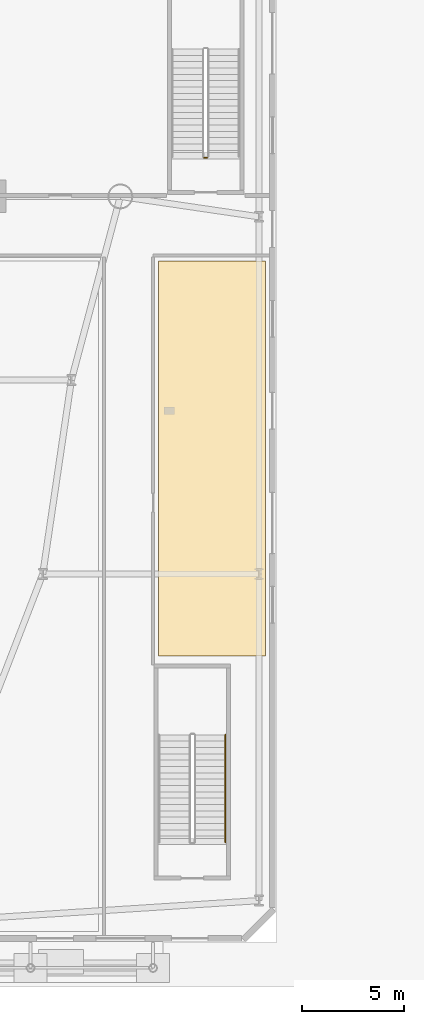
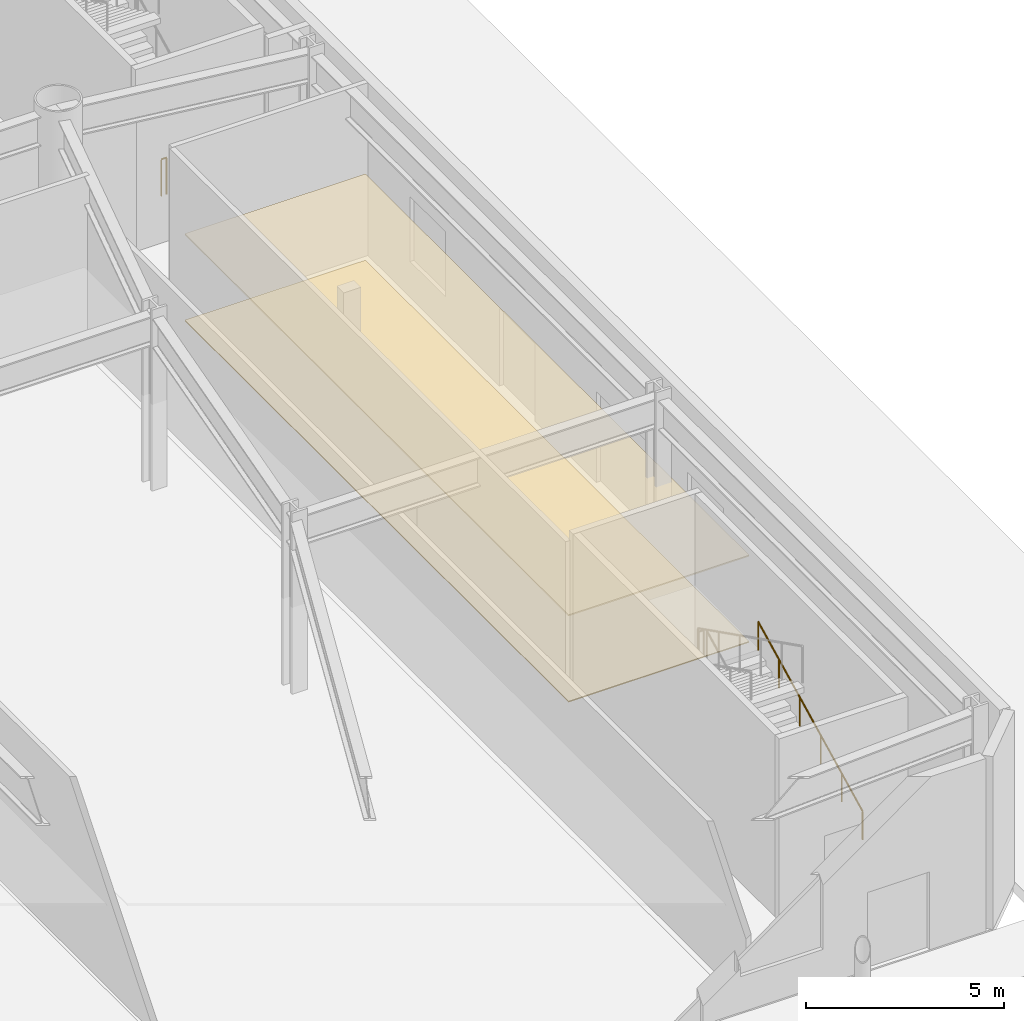
# One storey, part 18 of 20: 2 coverings, 2 railings.
"""IFC4 building model written with IfcOpenShell, lengths in metres."""

import ifcopenshell
import ifcopenshell.guid

model = None  # the IFC model being written
_history = None  # IfcOwnerHistory: only IFC2X3 demands one
_inside = {}  # id of a spatial element -> (the spatial element, [elements in it])
_under = {}  # id of a project, library or spatial element -> (it, [spatial elements below it])
_declared = {}  # id of a project -> (the project, [libraries it declares])
_typed = {}  # id of a type object -> (the type object, [elements of that type])
_made_of = {}  # id of a material, layer set ... -> (it, [elements and type objects made of it])


def new_model(schema):
    """Start an empty IFC model of exactly this schema.

    Asked for "IFC4X3", IfcOpenShell would pick the latest addendum, in which some entities
    have other attributes; the version numbers below select the first issue.
    IFC2X3 requires an IfcOwnerHistory on every rooted entity: one is made here for all.
    """
    global model, _history
    if schema == "IFC4X3":
        model = ifcopenshell.file(schema_version=(4, 3, 0, 0))
    else:
        model = ifcopenshell.file(schema=schema)
    _inside.clear()
    _under.clear()
    _declared.clear()
    _typed.clear()
    _made_of.clear()
    _history = None
    if model.schema == "IFC2X3":
        org = make("IfcOrganization", Name="unknown")
        user = make(
            "IfcPersonAndOrganization",
            ThePerson=make("IfcPerson", FamilyName="unknown"),
            TheOrganization=org,
        )
        app = make(
            "IfcApplication",
            ApplicationDeveloper=org,
            Version="unknown",
            ApplicationFullName="unknown",
            ApplicationIdentifier="unknown",
        )
        _history = make(
            "IfcOwnerHistory",
            OwningUser=user,
            OwningApplication=app,
            ChangeAction="ADDED",
            CreationDate=0,
        )
    return model


def make(cls, **values):
    """One entity of the class cls with the attributes given. An attribute that is None is left unset."""
    return model.create_entity(
        cls, **{name: value for name, value in values.items() if value is not None}
    )


def rooted(cls, **values):
    """An entity with a GlobalId (a new one), such as an element, a storey or a relation."""
    return make(cls, GlobalId=ifcopenshell.guid.new(), OwnerHistory=_history, **values)


def si_unit(unit_type, name, prefix=None):
    """IfcSIUnit, for example si_unit("LENGTHUNIT", "METRE", prefix="MILLI")."""
    return make("IfcSIUnit", UnitType=unit_type, Prefix=prefix, Name=name)


def assignment(units):
    """IfcUnitAssignment: the units of a project."""
    return None if units is None else make("IfcUnitAssignment", Units=units)


def point(xyz):
    """IfcCartesianPoint."""
    return None if xyz is None else make("IfcCartesianPoint", Coordinates=xyz)


def direction(xyz):
    """IfcDirection."""
    return None if xyz is None else make("IfcDirection", DirectionRatios=xyz)


def frame(location, z_axis=None, x_axis=None):
    """IfcAxis2Placement3D, a coordinate frame: its origin and axes. An axis left out is left unset."""
    return make(
        "IfcAxis2Placement3D",
        Location=point(location),
        Axis=direction(z_axis),
        RefDirection=direction(x_axis),
    )


def frame_2d(location, x_axis=None):
    """IfcAxis2Placement2D, a coordinate frame in the plane: its origin and x axis."""
    return make(
        "IfcAxis2Placement2D", Location=point(location), RefDirection=direction(x_axis)
    )


def origin():
    """The frame at (0, 0, 0) with its axes left unset."""
    return frame((0.0, 0.0, 0.0))


def origin_2d():
    """The frame at (0, 0) in the plane with its x axis left unset."""
    return frame_2d((0.0, 0.0))


def place(relative_to, where):
    """IfcLocalPlacement: puts the frame where relative to a parent placement (None: the world)."""
    return make(
        "IfcLocalPlacement", PlacementRelTo=relative_to, RelativePlacement=where
    )


def context(
    kind, dimensions, precision=None, world=None, true_north=None, identifier=None
):
    """IfcGeometricRepresentationContext, for example the 3D "Model" context."""
    return make(
        "IfcGeometricRepresentationContext",
        ContextIdentifier=identifier,
        ContextType=kind,
        CoordinateSpaceDimension=dimensions,
        Precision=precision,
        WorldCoordinateSystem=world,
        TrueNorth=true_north,
    )


def subcontext(parent, identifier, kind, view, scale=None):
    """IfcGeometricRepresentationSubContext, for example "Body" below "Model"."""
    return make(
        "IfcGeometricRepresentationSubContext",
        ContextIdentifier=identifier,
        ContextType=kind,
        ParentContext=parent,
        TargetScale=scale,
        TargetView=view,
    )


def project(units=None, contexts=None):
    """IfcProject with its units and contexts."""
    return rooted(
        "IfcProject",
        Name="project",
        RepresentationContexts=contexts,
        UnitsInContext=assignment(units),
    )


def spatial(cls, under=None, at=None, **own):
    """A site, building, storey or space (cls), placed at a placement, below another one or the project."""
    s = rooted(cls, ObjectPlacement=at, **own)
    if under is not None:
        _under.setdefault(under.id(), (under, []))[1].append(s)
    return s


def polyline(points):
    """IfcPolyline through the points."""
    return make("IfcPolyline", Points=[point(p) for p in points])


def profile(cls, at=None, kind="AREA", **sizes):
    """A parametric profile (cls). Its sizes go by their IFC names, for example OverallWidth=200.0."""
    return make(cls, ProfileType=kind, Position=at, **sizes)


def circle(**sizes):
    """IfcCircleProfileDef."""
    return profile("IfcCircleProfileDef", **sizes)


def outline(outer, holes=None, kind="AREA"):
    """IfcArbitraryClosedProfileDef: a profile drawn as a closed curve; with holes, ...WithVoids."""
    if holes is None:
        return make("IfcArbitraryClosedProfileDef", ProfileType=kind, OuterCurve=outer)
    return make(
        "IfcArbitraryProfileDefWithVoids",
        ProfileType=kind,
        OuterCurve=outer,
        InnerCurves=holes,
    )


def extrude(swept, where, along, depth):
    """IfcExtrudedAreaSolid: the profile swept, set in the frame where, extruded along a direction by depth."""
    return make(
        "IfcExtrudedAreaSolid",
        SweptArea=swept,
        Position=where,
        ExtrudedDirection=direction(along),
        Depth=depth,
    )


def shape(context_of_items, identifier, shape_type, items):
    """IfcShapeRepresentation: the items that make up one representation, for example the "Body"."""
    return make(
        "IfcShapeRepresentation",
        ContextOfItems=context_of_items,
        RepresentationIdentifier=identifier,
        RepresentationType=shape_type,
        Items=items,
    )


def material(Name=None, Category=None):
    """IfcMaterial."""
    return make("IfcMaterial", Name=Name, Category=Category)


def layer(
    of_material, thickness, ventilated=None, Name=None, Category=None, Priority=None
):
    """IfcMaterialLayer: one layer of a wall or slab, of a material (None: an air gap)."""
    return make(
        "IfcMaterialLayer",
        Material=of_material,
        LayerThickness=thickness,
        IsVentilated=ventilated,
        Name=Name,
        Category=Category,
        Priority=Priority,
    )


def layer_set(layers, Name=None):
    """IfcMaterialLayerSet."""
    return make("IfcMaterialLayerSet", MaterialLayers=layers, LayerSetName=Name)


def made_of(thing, what):
    """Note that an element or type object is made of a material, layer set ...; save() writes the relation."""
    if what is not None:
        _made_of.setdefault(what.id(), (what, []))[1].append(thing)
    return thing


def type_object(cls, material=None, **own):
    """A type object (cls), such as IfcWallType, which elements share."""
    return made_of(rooted(cls, **own), material)


def element(
    cls,
    number,
    at=None,
    inside=None,
    cuts=None,
    type_object=None,
    material=None,
    context=None,
    identifier="Body",
    shape_type=None,
    held_by="IfcProductDefinitionShape",
    body=None,
    shapes=None,
    **own,
):
    """One element of the class cls, such as IfcWall. Its Tag is "e" and its number.

    at: its placement. inside: the storey or other place that contains it. cuts: it is an
    opening in that element (IfcRelVoidsElement). A single representation is given by context,
    identifier, shape_type and body (its items); several are given by shapes. held_by: the class
    of the entity that holds the representations. save() writes the other relations.
    """
    e = rooted(cls, Tag="e%d" % number, ObjectPlacement=at, **own)
    if body is not None:
        shapes = [shape(context, identifier, shape_type, body)]
    if shapes is not None:
        e.Representation = make(held_by, Representations=shapes)
    if inside is not None:
        _inside.setdefault(inside.id(), (inside, []))[1].append(e)
    if cuts is not None:
        rooted(
            "IfcRelVoidsElement", RelatingBuildingElement=cuts, RelatedOpeningElement=e
        )
    if type_object is not None:
        _typed.setdefault(type_object.id(), (type_object, []))[1].append(e)
    return made_of(e, material)


def aggregate(whole, parts):
    """IfcRelAggregates: a whole, such as a stair, and the parts it consists of."""
    return rooted("IfcRelAggregates", RelatingObject=whole, RelatedObjects=parts)


def save(model, path):
    """Write the relations noted so far, then the file.

    IfcRelAggregates (storeys below a building ...), IfcRelContainedInSpatialStructure (elements
    in a storey), IfcRelDefinesByType, IfcRelAssociatesMaterial and IfcRelDeclares: one each for
    every whole, place, type object, material and project.
    """
    for whole, parts in _under.values():
        aggregate(whole, parts)
    for where, things in _inside.values():
        rooted(
            "IfcRelContainedInSpatialStructure",
            RelatedElements=things,
            RelatingStructure=where,
        )
    for kind, things in _typed.values():
        rooted("IfcRelDefinesByType", RelatedObjects=things, RelatingType=kind)
    for what, things in _made_of.values():
        rooted("IfcRelAssociatesMaterial", RelatedObjects=things, RelatingMaterial=what)
    for by, libraries in _declared.values():
        rooted("IfcRelDeclares", RelatingContext=by, RelatedDefinitions=libraries)
    model.write(path)


model = new_model("IFC4")

# Units and contexts
model_context = context("Model", 3, precision=1e-05, world=origin(), true_north=direction((0.0, 1.0)))
body_context = subcontext(model_context, "Body", "Model", "MODEL_VIEW")
ifc_project = project(units=[si_unit("LENGTHUNIT", "METRE"), si_unit("AREAUNIT", "SQUARE_METRE"), si_unit("VOLUMEUNIT", "CUBIC_METRE"), si_unit("PLANEANGLEUNIT", "RADIAN"), si_unit("MASSUNIT", "GRAM", prefix="KILO")], contexts=[model_context])

# Site, building, storey
site_placement = place(None, origin())
site = spatial("IfcSite", under=ifc_project, at=site_placement, CompositionType="ELEMENT")
building_placement = place(site_placement, origin())
building = spatial("IfcBuilding", under=site, at=building_placement, Name="Vaeldorn Concourse Tower", CompositionType="ELEMENT")
storey_placement = place(building_placement, origin())
storey = spatial("IfcBuildingStorey", under=building, at=storey_placement, Name="L00", CompositionType="ELEMENT", Elevation=0.0)

# Coverings
ifc_material_1 = material(Name="Acoustic Mineral Fibre Board", Category="gypsum")
ifc_layer_1 = layer(ifc_material_1, 0.0400390625)
ifc_layer_set_1 = layer_set([ifc_layer_1], Name="Acoustic Mineral Fibre Board")
covering_type_1 = type_object("IfcCoveringType", Name="COV-CEIL-ACOUSTIC", PredefinedType="CEILING", material=ifc_layer_set_1)
covering_1_placement = place(storey_placement, frame((0.0, 0.0, 2.64990234375)))
element("IfcCovering", 1, at=covering_1_placement, inside=storey, type_object=covering_type_1, Name="Suspended Acoustic Ceiling L00-9", PredefinedType="CEILING", context=body_context, shape_type="SweptSolid", body=[
    extrude(outline(polyline([(62.260009765625, 33.340087890625), (67.52001953125, 33.340087890625), (67.52001953125, 13.97998046875), (62.260009765625, 13.97998046875), (62.260009765625, 33.340087890625)])), origin(), (0.0, 0.0, 1.0), 0.0400390625),
])
ifc_material_2 = material(Name="Honed Limestone Terrazzo Flooring", Category="masonry")
ifc_layer_2 = layer(ifc_material_2, 0.0400390625)
ifc_layer_set_2 = layer_set([ifc_layer_2], Name="Honed Limestone Terrazzo Flooring")
covering_type_2 = type_object("IfcCoveringType", Name="COV-FLOOR-STONE", PredefinedType="FLOORING", material=ifc_layer_set_2)
covering_2_placement = place(storey_placement, origin())
element("IfcCovering", 2, at=covering_2_placement, inside=storey, type_object=covering_type_2, Name="Floor Finish Covering L00-9", PredefinedType="FLOORING", context=body_context, shape_type="SweptSolid", body=[
    extrude(outline(polyline([(62.260009765625, 33.340087890625), (67.52001953125, 33.340087890625), (67.52001953125, 13.97998046875), (62.260009765625, 13.97998046875), (62.260009765625, 33.340087890625)])), origin(), (0.0, 0.0, 1.0), 0.030029296875),
])

# Railings
ifc_material_3 = material(Name="Anodised Bronze Aluminium", Category="aluminium")
railing_type_1 = type_object("IfcRailingType", Name="RL-STAIR-GUARD", PredefinedType="GUARDRAIL", material=ifc_material_3)
railing_1_placement = place(storey_placement, frame((64.64990234375, 38.39990234375, 0.0)))
element("IfcRailing", 3, at=railing_1_placement, inside=storey, type_object=railing_type_1, Name="L00 ST-4 stair guard 4", PredefinedType="GUARDRAIL", context=body_context, shape_type="SweptSolid", body=[
    extrude(circle(Radius=0.02392578125, at=origin_2d()), frame((0.0, 0.0, 1.1259765625), z_axis=(-1.0, 0.0, 0.0), x_axis=(0.0, -1.0, 0.0)), (0.0, 0.0, 1.0), 0.14990234375),
    extrude(circle(Radius=0.02099609375, at=origin_2d()), origin(), (0.0, 0.0, 1.0), 1.101806640625),
    extrude(circle(Radius=0.02099609375, at=origin_2d()), frame((-0.14990234375, 0.0, 0.0)), (0.0, 0.0, 1.0), 1.101806640625),
])
railing_type_2 = type_object("IfcRailingType", Name="RL-STAIR-HANDRAIL", PredefinedType="HANDRAIL", material=ifc_material_3)
railing_2_placement = place(storey_placement, frame((65.550048828125, 4.85009765625, 0.155517578125)))
element("IfcRailing", 4, at=railing_2_placement, inside=storey, type_object=railing_type_2, Name="L00 ST-5 stair handrail 1", PredefinedType="HANDRAIL", context=body_context, shape_type="SweptSolid", body=[
    extrude(circle(Radius=0.02392578125, at=origin_2d()), frame((0.0, 0.0, 0.8759765625), z_axis=(0.0, 0.893780331391, 0.448504982379), x_axis=(-1.0, 0.0, 0.0)), (0.0, 0.0, 1.0), 5.896240234375),
    extrude(circle(Radius=0.02099609375, at=origin_2d()), origin(), (0.0, 0.0, 1.0), 0.851806640625),
    extrude(circle(Radius=0.02099609375, at=origin_2d()), frame((0.0, 1.053955078125, 0.52880859375)), (0.0, 0.0, 1.0), 0.851806640625),
    extrude(circle(Radius=0.02099609375, at=origin_2d()), frame((0.0, 2.10791015625, 1.057861328125)), (0.0, 0.0, 1.0), 0.851806640625),
    extrude(circle(Radius=0.02099609375, at=origin_2d()), frame((0.0, 3.162109375, 1.586669921875)), (0.0, 0.0, 1.0), 0.851806640625),
    extrude(circle(Radius=0.02099609375, at=origin_2d()), frame((0.0, 4.216064453125, 2.11572265625)), (0.0, 0.0, 1.0), 0.851806640625),
    extrude(circle(Radius=0.02099609375, at=origin_2d()), frame((0.0, 5.27001953125, 2.64453125)), (0.0, 0.0, 1.0), 0.851806640625),
])

save(model, "model.ifc")
